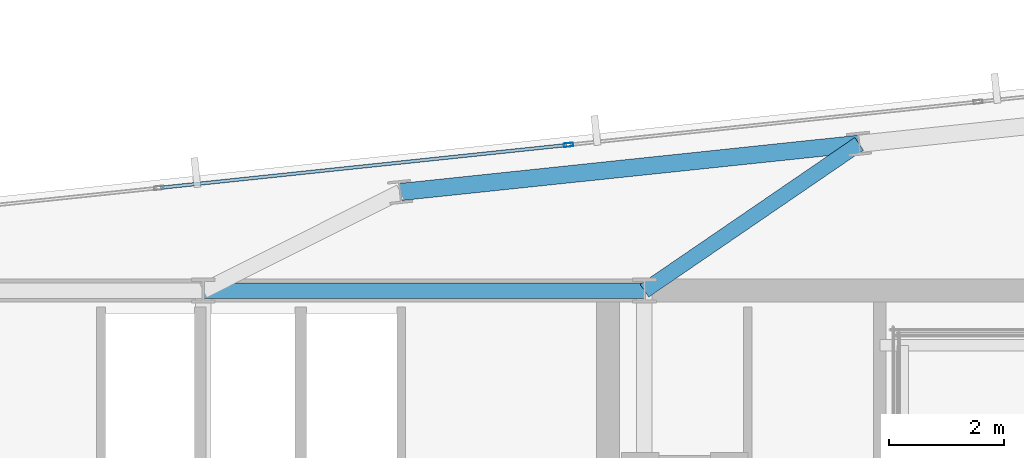
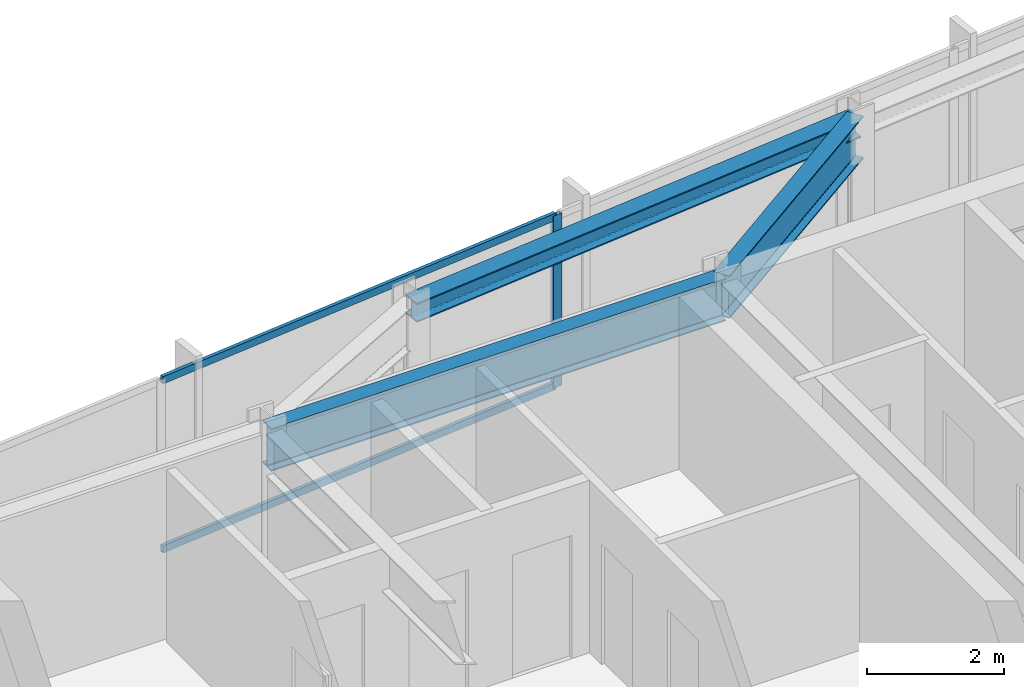
# One storey, part 22 of 33: 3 beams, 3 members, 1 element without a shape of its own.
"""IFC4 building model written with IfcOpenShell, lengths in metres."""

from ifc_helpers import new_model, si_unit, direction, frame, origin, origin_2d, place, context, subcontext, project, spatial, hollow_rectangle, i_section, extrude, material, material_profile, profile_set, type_object, element, aggregate, save


model = new_model("IFC4")

# Units and contexts
model_context = context("Model", 3, precision=1e-05, world=origin(), true_north=direction((0.0, 1.0)))
body_context = subcontext(model_context, "Body", "Model", "MODEL_VIEW")
ifc_project = project(units=[si_unit("LENGTHUNIT", "METRE"), si_unit("AREAUNIT", "SQUARE_METRE"), si_unit("VOLUMEUNIT", "CUBIC_METRE"), si_unit("PLANEANGLEUNIT", "RADIAN"), si_unit("MASSUNIT", "GRAM", prefix="KILO")], contexts=[model_context])

# Site, building, storey
site_placement = place(None, origin())
site = spatial("IfcSite", under=ifc_project, at=site_placement, CompositionType="ELEMENT")
building_placement = place(site_placement, origin())
building = spatial("IfcBuilding", under=site, at=building_placement, Name="Yelkora Congress Tower", CompositionType="ELEMENT")
storey_placement = place(building_placement, frame((0.0, 0.0, 224.300048828125)))
storey = spatial("IfcBuildingStorey", under=building, at=storey_placement, Name="L62", CompositionType="ELEMENT", Elevation=224.300048828125)

# Beams
ifc_material_1 = material(Name="Steel S355J2", Category="steel")
ifc_material_profile_1 = material_profile(ifc_material_1, i_section(OverallWidth=0.26708984375, OverallDepth=0.761962890625, WebThickness=0.014404296875, FlangeThickness=0.021484375, FilletRadius=0.01708984375, at=origin_2d()), Name="IPE 750x173")
ifc_profile_set_1 = profile_set([ifc_material_profile_1], Name="Steel S355J2")
beam_type_1 = type_object("IfcBeamType", Name="BM-GIRD-IPE750", PredefinedType="BEAM", material=ifc_profile_set_1)
beam_1_placement = place(storey_placement, frame((38.39990234375, 46.199951171875, 2.698974609375), z_axis=(1.0, 0.0, 0.0), x_axis=(0.0, 1.0, 0.0)))
element("IfcBeam", 1, at=beam_1_placement, inside=storey, type_object=beam_type_1, Name="L62 Core North Girder 4", PredefinedType="BEAM", context=body_context, shape_type="SweptSolid", body=[
    extrude(i_section(OverallWidth=0.26708984375, OverallDepth=0.761962890625, WebThickness=0.014404296875, FlangeThickness=0.021484375, FilletRadius=0.01708984375, at=origin_2d()), origin(), (0.0, 0.0, 1.0), 7.68017578125),
])
beam_2_placement = place(storey_placement, frame((49.8173828125, 48.757080078125, 2.698974609375), z_axis=(-0.825304616438, -0.564687781067, 0.0), x_axis=(0.564687781067, -0.825304616438, 0.0)))
element("IfcBeam", 2, at=beam_2_placement, inside=storey, type_object=beam_type_1, Name="L62 Primary Frame Girder N05", PredefinedType="BEAM", context=body_context, shape_type="SweptSolid", body=[
    extrude(i_section(OverallWidth=0.26708984375, OverallDepth=0.761962890625, WebThickness=0.014404296875, FlangeThickness=0.021484375, FilletRadius=0.01708984375, at=origin_2d()), origin(), (0.0, 0.0, 1.0), 4.5283203125),
])
ifc_material_profile_2 = material_profile(ifc_material_1, i_section(OverallWidth=0.300048828125, OverallDepth=0.340087890625, WebThickness=0.011962890625, FlangeThickness=0.021484375, FilletRadius=0.027099609375, at=origin_2d()), Name="HEB 340")
ifc_profile_set_2 = profile_set([ifc_material_profile_2], Name="Steel S355J2")
beam_type_2 = type_object("IfcBeamType", Name="BM-SPAN-HEB340", PredefinedType="SPANDREL", material=ifc_profile_set_2)
beam_3_placement = place(storey_placement, frame((49.8173828125, 48.757080078125, 2.909912109375), z_axis=(-0.994523256947, -0.104515507904, 0.0), x_axis=(0.104515507904, -0.994523256947, 0.0)))
element("IfcBeam", 3, at=beam_3_placement, inside=storey, type_object=beam_type_2, Name="L62 Perimeter Beam 15", PredefinedType="SPANDREL", context=body_context, shape_type="SweptSolid", body=[
    extrude(i_section(OverallWidth=0.300048828125, OverallDepth=0.340087890625, WebThickness=0.011962890625, FlangeThickness=0.021484375, FilletRadius=0.027099609375, at=origin_2d()), origin(), (0.0, 0.0, 1.0), 8.033203125),
])

# Curtain wall, members
ifc_material_2 = material(Name="Anodised aluminium and insulated glass", Category="aluminium")
curtain_wall_type = type_object("IfcCurtainWallType", Name="CW-SYS-B4", PredefinedType="NOTDEFINED", material=ifc_material_2)
curtain_wall_placement = place(storey_placement, origin())
curtain_wall = element("IfcCurtainWall", 4, at=curtain_wall_placement, inside=storey, type_object=curtain_wall_type, Name="L62 Unitised Curtain Wall 10 (3)", PredefinedType="NOTDEFINED")
ifc_material_3 = material(Name="Anodised aluminium 6063-T6", Category="aluminium")
ifc_material_profile_3 = material_profile(ifc_material_3, hollow_rectangle(XDim=0.06494140625, YDim=0.159912109375, WallThickness=0.00390625, at=origin_2d()), Name="ALU 65x160x4")
ifc_profile_set_3 = profile_set([ifc_material_profile_3], Name="Anodised aluminium 6063-T6")
member_type_1 = type_object("IfcMemberType", Name="MEM-ML-B4", PredefinedType="MULLION", material=ifc_profile_set_3)
member_1_placement = place(storey_placement, frame((44.75830078125, 48.73828125, 0.0), z_axis=(0.0, 0.0, 1.0), x_axis=(-0.104527724021, 0.994521973066, 0.0)))
member_1 = element("IfcMember", 5, at=member_1_placement, type_object=member_type_1, Name="CW-B4 mullion 4", PredefinedType="MULLION", context=body_context, shape_type="SweptSolid", body=[
    extrude(hollow_rectangle(XDim=0.06494140625, YDim=0.159912109375, WallThickness=0.00390625, at=origin_2d()), origin(), (0.0, 0.0, 1.0), 3.079833984375),
])
ifc_material_profile_4 = material_profile(ifc_material_3, hollow_rectangle(XDim=0.06005859375, YDim=0.1298828125, WallThickness=0.00390625, at=origin_2d()), Name="ALU 60x130x4")
ifc_profile_set_4 = profile_set([ifc_material_profile_4], Name="Anodised aluminium 6063-T6")
member_type_2 = type_object("IfcMemberType", Name="MEM-TR-B4", PredefinedType="USERDEFINED", material=ifc_profile_set_4)
member_2_placement = place(storey_placement, frame((37.659912109375, 47.9921875, 0.030029296875), z_axis=(0.994521633799, 0.104530951904, 0.0), x_axis=(-0.104530951904, 0.994521633799, 0.0)))
member_2 = element("IfcMember", 6, at=member_2_placement, type_object=member_type_2, Name="CW-B4 transom 3.1", ObjectType="TRANSOM", PredefinedType="USERDEFINED", context=body_context, shape_type="SweptSolid", body=[
    extrude(hollow_rectangle(XDim=0.06005859375, YDim=0.1298828125, WallThickness=0.00390625, at=origin_2d()), origin(), (0.0, 0.0, 1.0), 7.104736328125),
])
member_3_placement = place(storey_placement, frame((37.659912109375, 47.9921875, 3.050048828125), z_axis=(0.994521633799, 0.104530951904, 0.0), x_axis=(-0.104530951904, 0.994521633799, 0.0)))
member_3 = element("IfcMember", 7, at=member_3_placement, type_object=member_type_2, Name="CW-B4 transom 3.2", ObjectType="TRANSOM", PredefinedType="USERDEFINED", context=body_context, shape_type="SweptSolid", body=[
    extrude(hollow_rectangle(XDim=0.06005859375, YDim=0.1298828125, WallThickness=0.00390625, at=origin_2d()), origin(), (0.0, 0.0, 1.0), 7.104736328125),
])
aggregate(curtain_wall, [member_1, member_2, member_3])

save(model, "model.ifc")
